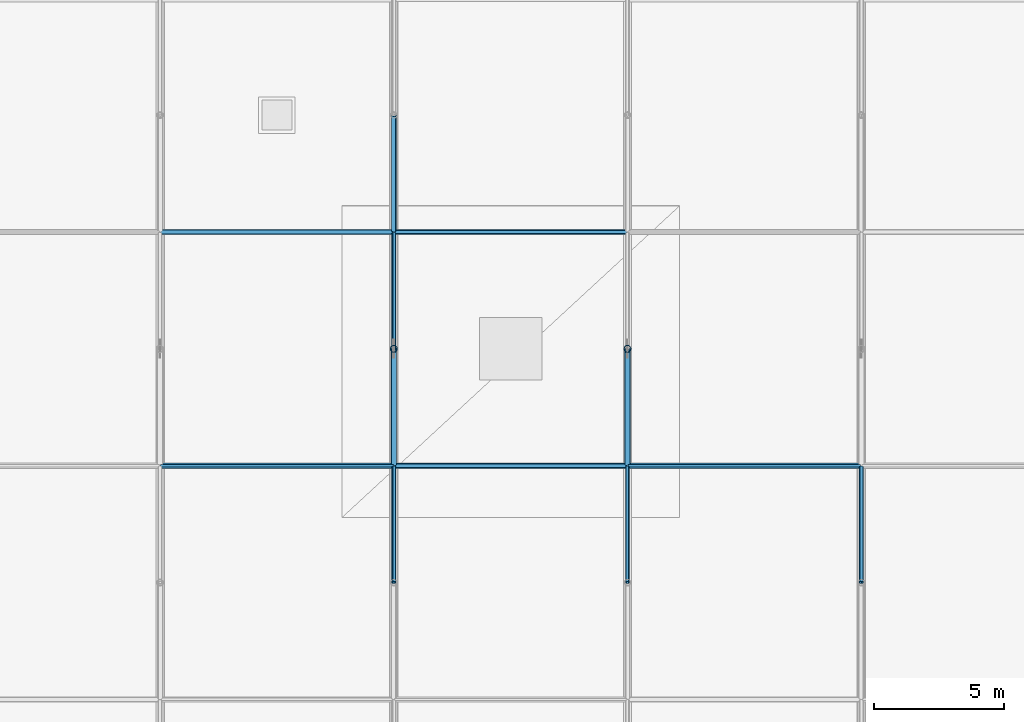
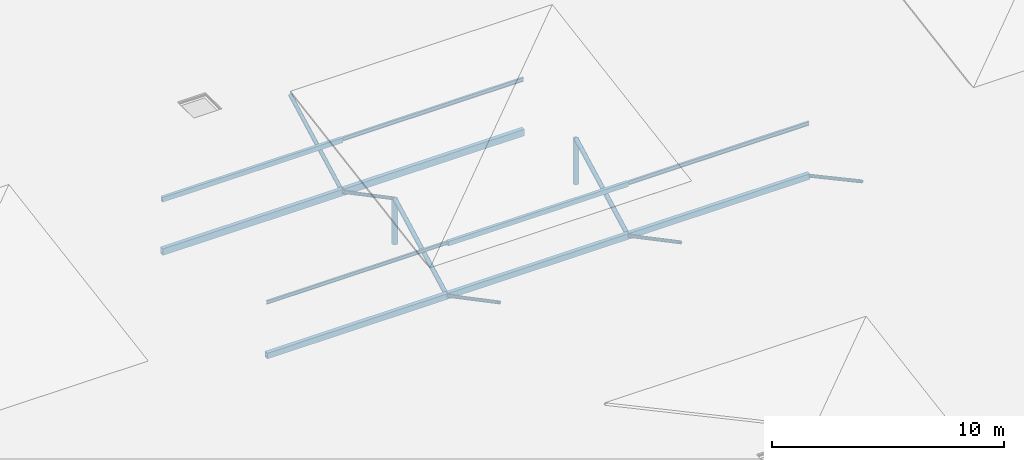
# One storey, part 92 of 196: 19 members.
"""IFC4 building model written with IfcOpenShell, lengths in metres."""

from ifc_helpers import new_model, si_unit, direction, frame, origin, origin_2d, place, context, subcontext, project, spatial, hollow_rectangle, hollow_circle, i_section, extrude, material, material_profile, profile_set, type_object, element, save


model = new_model("IFC4")

# Units and contexts
model_context = context("Model", 3, precision=1e-05, world=origin(), true_north=direction((0.0, 1.0)))
body_context = subcontext(model_context, "Body", "Model", "MODEL_VIEW")
ifc_project = project(units=[si_unit("LENGTHUNIT", "METRE"), si_unit("AREAUNIT", "SQUARE_METRE"), si_unit("VOLUMEUNIT", "CUBIC_METRE"), si_unit("PLANEANGLEUNIT", "RADIAN"), si_unit("MASSUNIT", "GRAM", prefix="KILO")], contexts=[model_context])

# Site, building, storey
site_placement = place(None, origin())
site = spatial("IfcSite", under=ifc_project, at=site_placement, CompositionType="ELEMENT")
building_placement = place(site_placement, origin())
building = spatial("IfcBuilding", under=site, at=building_placement, Name="Barlavento Convention Centre", CompositionType="ELEMENT")
storey_placement = place(building_placement, frame((0.0, 0.0, 18.0)))
storey = spatial("IfcBuildingStorey", under=building, at=storey_placement, Name="L03", CompositionType="ELEMENT", Elevation=18.0)

# Members
ifc_material = material(Name="Steel S355", Category="steel")
ifc_material_profile_1 = material_profile(ifc_material, hollow_rectangle(XDim=0.199951171875, YDim=0.300048828125, WallThickness=0.012451171875, at=origin_2d()), Name="RHS 300x200x12.5")
ifc_profile_set_1 = profile_set([ifc_material_profile_1], Name="Steel S355")
member_type_1 = type_object("IfcMemberType", Name="STR-MEM-COL-RHS300", PredefinedType="COLLAR", material=ifc_profile_set_1)
for number, where, z_axis, x_axis, name in (
    (1, (63.02001953125, 99.0, -3.199951171875), (1.0, 0.0, 0.0), (0.0, 1.0, 0.0), "Exhibition space frame transverse chord"),
    (2, (72.02001953125, 99.0, -3.199951171875), (1.0, 0.0, 0.0), (0.0, 1.0, 0.0), "Exhibition space frame transverse chord"),
    (3, (81.02001953125, 99.0, -3.199951171875), (1.0, 0.0, 0.0), (0.0, 1.0, 0.0), "Exhibition space frame transverse chord"),
):
    element("IfcMember", number, at=place(storey_placement, frame(where, z_axis=z_axis, x_axis=x_axis)), inside=storey, type_object=member_type_1, Name=name, PredefinedType="COLLAR", context=body_context, shape_type="SweptSolid", body=[
        extrude(hollow_rectangle(XDim=0.199951171875, YDim=0.300048828125, WallThickness=0.012451171875, at=origin_2d()), origin(), (0.0, 0.0, 1.0), 8.9599609375),
    ])
ifc_material_profile_2 = material_profile(ifc_material, hollow_rectangle(XDim=0.199951171875, YDim=0.35009765625, WallThickness=0.012451171875, at=origin_2d()), Name="RHS 350x200x12.5")
ifc_profile_set_2 = profile_set([ifc_material_profile_2], Name="Steel S355")
member_type_2 = type_object("IfcMemberType", Name="STR-MEM-COL-RHS350", PredefinedType="COLLAR", material=ifc_profile_set_2)
for number, where, z_axis, x_axis, name in (
    (4, (63.02001953125, 108.0, -3.199951171875), (1.0, 0.0, 0.0), (0.0, 1.0, 0.0), "Exhibition space frame transverse chord"),
    (5, (72.02001953125, 108.0, -3.199951171875), (1.0, 0.0, 0.0), (0.0, 1.0, 0.0), "Exhibition space frame transverse chord"),
):
    element("IfcMember", number, at=place(storey_placement, frame(where, z_axis=z_axis, x_axis=x_axis)), inside=storey, type_object=member_type_2, Name=name, PredefinedType="COLLAR", context=body_context, shape_type="SweptSolid", body=[
        extrude(hollow_rectangle(XDim=0.199951171875, YDim=0.35009765625, WallThickness=0.012451171875, at=origin_2d()), origin(), (0.0, 0.0, 1.0), 8.9599609375),
    ])
ifc_material_profile_3 = material_profile(ifc_material, hollow_circle(Radius=0.084228515625, WallThickness=0.010009765625, at=origin_2d()), Name="CHS 168.3x10.0")
ifc_profile_set_3 = profile_set([ifc_material_profile_3], Name="Steel S355")
member_type_3 = type_object("IfcMemberType", Name="STR-MEM-DIAG-CHS168", PredefinedType="POST", material=ifc_profile_set_3)
for number, where, z_axis, x_axis, name in (
    (6, (72.0, 94.5, -0.84912109375), (0.0, 0.884200566707, -0.467107437144), (-1.0, 0.0, 0.0), "Exhibition space frame web diagonal"),
    (7, (72.0, 103.5, -0.84912109375), (0.0, 0.884200566707, -0.467107437144), (-1.0, 0.0, 0.0), "Exhibition space frame web diagonal"),
):
    element("IfcMember", number, at=place(storey_placement, frame(where, z_axis=z_axis, x_axis=x_axis)), inside=storey, type_object=member_type_3, Name=name, PredefinedType="POST", context=body_context, shape_type="SweptSolid", body=[
        extrude(hollow_circle(Radius=0.084228515625, WallThickness=0.010009765625, at=origin_2d()), origin(), (0.0, 0.0, 1.0), 5.03271484375),
    ])
member_1_placement = place(storey_placement, frame((81.0, 94.5, -0.844970703125), z_axis=(0.0, 0.883859857229, -0.467751806816), x_axis=(-1.0, 0.0, 0.0)))
element("IfcMember", 8, at=member_1_placement, inside=storey, type_object=member_type_3, Name="Exhibition space frame web diagonal", PredefinedType="POST", context=body_context, shape_type="SweptSolid", body=[
    extrude(hollow_circle(Radius=0.084228515625, WallThickness=0.010009765625, at=origin_2d()), origin(), (0.0, 0.0, 1.0), 5.03466796875),
])
member_2_placement = place(storey_placement, frame((90.0, 94.5, -0.794921875), z_axis=(0.0, 0.879735433057, -0.475463529437), x_axis=(-1.0, 0.0, 0.0)))
element("IfcMember", 9, at=member_2_placement, inside=storey, type_object=member_type_3, Name="Exhibition space frame web diagonal", PredefinedType="POST", context=body_context, shape_type="SweptSolid", body=[
    extrude(hollow_circle(Radius=0.084228515625, WallThickness=0.010009765625, at=origin_2d()), origin(), (0.0, 0.0, 1.0), 5.058349609375),
])
ifc_material_profile_4 = material_profile(ifc_material, hollow_circle(Radius=0.096923828125, WallThickness=0.010009765625, at=origin_2d()), Name="CHS 193.7x10.0")
ifc_profile_set_4 = profile_set([ifc_material_profile_4], Name="Steel S355")
member_type_4 = type_object("IfcMemberType", Name="STR-MEM-DIAG-CHS193", PredefinedType="RAFTER", material=ifc_profile_set_4)
member_3_placement = place(storey_placement, frame((72.0, 108.050048828125, -3.199951171875), z_axis=(0.0, 0.884200566707, 0.467107437144), x_axis=(-1.0, 0.0, 0.0)))
element("IfcMember", 10, at=member_3_placement, inside=storey, type_object=member_type_4, Name="Exhibition space frame web diagonal", PredefinedType="RAFTER", context=body_context, shape_type="SweptSolid", body=[
    extrude(hollow_circle(Radius=0.096923828125, WallThickness=0.010009765625, at=origin_2d()), origin(), (0.0, 0.0, 1.0), 5.03271484375),
])
ifc_material_profile_5 = material_profile(ifc_material, hollow_circle(Radius=0.109619140625, WallThickness=0.012451171875, at=origin_2d()), Name="CHS 219.1x12.5")
ifc_profile_set_5 = profile_set([ifc_material_profile_5], Name="Steel S355")
member_type_5 = type_object("IfcMemberType", Name="STR-MEM-DIAG-CHS219", PredefinedType="RAFTER", material=ifc_profile_set_5)
member_4_placement = place(storey_placement, frame((72.0, 99.050048828125, -3.199951171875), z_axis=(0.0, 0.884200566707, 0.467107437144), x_axis=(-1.0, 0.0, 0.0)))
element("IfcMember", 11, at=member_4_placement, inside=storey, type_object=member_type_5, Name="Exhibition space frame web diagonal", PredefinedType="RAFTER", context=body_context, shape_type="SweptSolid", body=[
    extrude(hollow_circle(Radius=0.109619140625, WallThickness=0.012451171875, at=origin_2d()), origin(), (0.0, 0.0, 1.0), 5.03271484375),
])
member_5_placement = place(storey_placement, frame((81.0, 99.050048828125, -3.199951171875), z_axis=(0.0, 0.883859857229, 0.467751806816), x_axis=(-1.0, 0.0, 0.0)))
element("IfcMember", 12, at=member_5_placement, inside=storey, type_object=member_type_5, Name="Exhibition space frame web diagonal", PredefinedType="RAFTER", context=body_context, shape_type="SweptSolid", body=[
    extrude(hollow_circle(Radius=0.109619140625, WallThickness=0.012451171875, at=origin_2d()), origin(), (0.0, 0.0, 1.0), 5.03466796875),
])
ifc_material_profile_6 = material_profile(ifc_material, i_section(OverallWidth=0.091064453125, OverallDepth=0.179931640625, WebThickness=0.00537109375, FlangeThickness=0.008056640625, FilletRadius=0.009033203125, at=origin_2d()), Name="IPE 180")
ifc_profile_set_6 = profile_set([ifc_material_profile_6], Name="Steel S355")
member_type_6 = type_object("IfcMemberType", Name="STR-MEM-PUR-IPE180", PredefinedType="PURLIN", material=ifc_profile_set_6)
member_6_placement = place(storey_placement, frame((63.02001953125, 99.0, -0.43505859375), z_axis=(1.0, 0.0, 0.0), x_axis=(0.0, 1.0, 0.0)))
element("IfcMember", 13, at=member_6_placement, inside=storey, type_object=member_type_6, Name="Exhibition roof purlin", PredefinedType="PURLIN", context=body_context, shape_type="SweptSolid", body=[
    extrude(i_section(OverallWidth=0.091064453125, OverallDepth=0.179931640625, WebThickness=0.00537109375, FlangeThickness=0.008056640625, FilletRadius=0.009033203125, at=origin_2d()), origin(), (0.0, 0.0, 1.0), 8.9599609375),
])
ifc_material_profile_7 = material_profile(ifc_material, i_section(OverallWidth=0.10009765625, OverallDepth=0.199951171875, WebThickness=0.005615234375, FlangeThickness=0.008544921875, FilletRadius=0.011962890625, at=origin_2d()), Name="IPE 200")
ifc_profile_set_7 = profile_set([ifc_material_profile_7], Name="Steel S355")
member_type_7 = type_object("IfcMemberType", Name="STR-MEM-PUR-IPE200", PredefinedType="PURLIN", material=ifc_profile_set_7)
for number, where, z_axis, x_axis, name in (
    (14, (81.02001953125, 99.0, -0.445068359375), (1.0, 0.0, 0.0), (0.0, 1.0, 0.0), "Exhibition roof purlin"),
    (15, (72.02001953125, 108.0, -0.445068359375), (1.0, 0.0, 0.0), (0.0, 1.0, 0.0), "Exhibition roof purlin"),
):
    element("IfcMember", number, at=place(storey_placement, frame(where, z_axis=z_axis, x_axis=x_axis)), inside=storey, type_object=member_type_7, Name=name, PredefinedType="PURLIN", context=body_context, shape_type="SweptSolid", body=[
        extrude(i_section(OverallWidth=0.10009765625, OverallDepth=0.199951171875, WebThickness=0.005615234375, FlangeThickness=0.008544921875, FilletRadius=0.011962890625, at=origin_2d()), origin(), (0.0, 0.0, 1.0), 8.9599609375),
    ])
ifc_material_profile_8 = material_profile(ifc_material, hollow_rectangle(XDim=0.14990234375, YDim=0.25, WallThickness=0.010009765625, at=origin_2d()), Name="RHS 250x150x10.0")
ifc_profile_set_8 = profile_set([ifc_material_profile_8], Name="Steel S355")
member_type_8 = type_object("IfcMemberType", Name="STR-MEM-PUR-RHS250", PredefinedType="PURLIN", material=ifc_profile_set_8)
for number, where, z_axis, x_axis, name in (
    (16, (72.02001953125, 99.0, -0.469970703125), (1.0, 0.0, 0.0), (0.0, 1.0, 0.0), "Exhibition roof purlin"),
    (17, (63.02001953125, 108.0, -0.469970703125), (1.0, 0.0, 0.0), (0.0, 1.0, 0.0), "Exhibition roof purlin"),
):
    element("IfcMember", number, at=place(storey_placement, frame(where, z_axis=z_axis, x_axis=x_axis)), inside=storey, type_object=member_type_8, Name=name, PredefinedType="PURLIN", context=body_context, shape_type="SweptSolid", body=[
        extrude(hollow_rectangle(XDim=0.14990234375, YDim=0.25, WallThickness=0.010009765625, at=origin_2d()), origin(), (0.0, 0.0, 1.0), 8.9599609375),
    ])
ifc_material_profile_9 = material_profile(ifc_material, hollow_circle(Radius=0.136474609375, WallThickness=0.012451171875, at=origin_2d()), Name="CHS 273.0x12.5")
ifc_profile_set_9 = profile_set([ifc_material_profile_9], Name="Steel S355")
member_type_9 = type_object("IfcMemberType", Name="STR-MEM-STRUT-CHS273", PredefinedType="STRUT", material=ifc_profile_set_9)
member_7_placement = place(storey_placement, frame((72.0, 103.5, -3.199951171875), z_axis=(0.0, 0.0, 1.0), x_axis=(1.0, 0.0, 0.0)))
element("IfcMember", 18, at=member_7_placement, inside=storey, type_object=member_type_9, Name="Exhibition space frame vertical strut", PredefinedType="STRUT", context=body_context, shape_type="SweptSolid", body=[
    extrude(hollow_circle(Radius=0.136474609375, WallThickness=0.012451171875, at=origin_2d()), origin(), (0.0, 0.0, 1.0), 2.350830078125),
])
member_8_placement = place(storey_placement, frame((81.0, 103.5, -3.199951171875), z_axis=(0.0, 0.0, 1.0), x_axis=(1.0, 0.0, 0.0)))
element("IfcMember", 19, at=member_8_placement, inside=storey, type_object=member_type_9, Name="Exhibition space frame vertical strut", PredefinedType="STRUT", context=body_context, shape_type="SweptSolid", body=[
    extrude(hollow_circle(Radius=0.136474609375, WallThickness=0.012451171875, at=origin_2d()), origin(), (0.0, 0.0, 1.0), 2.35498046875),
])

save(model, "model.ifc")
